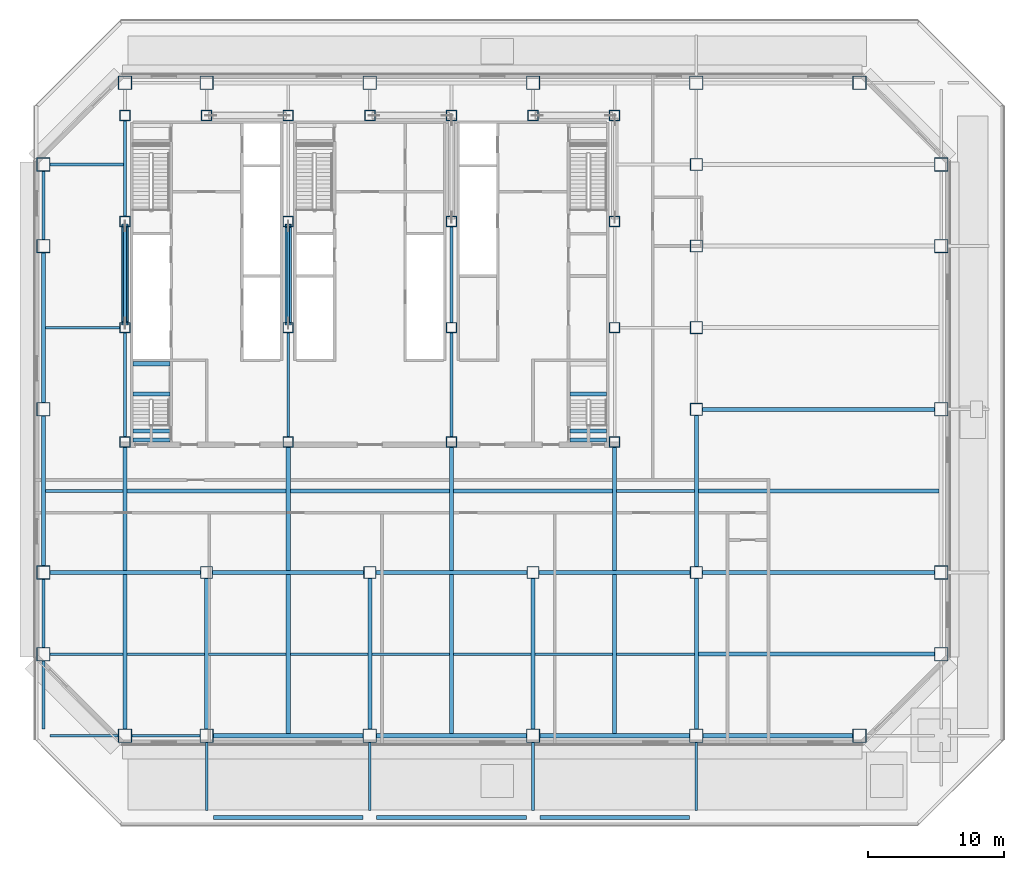
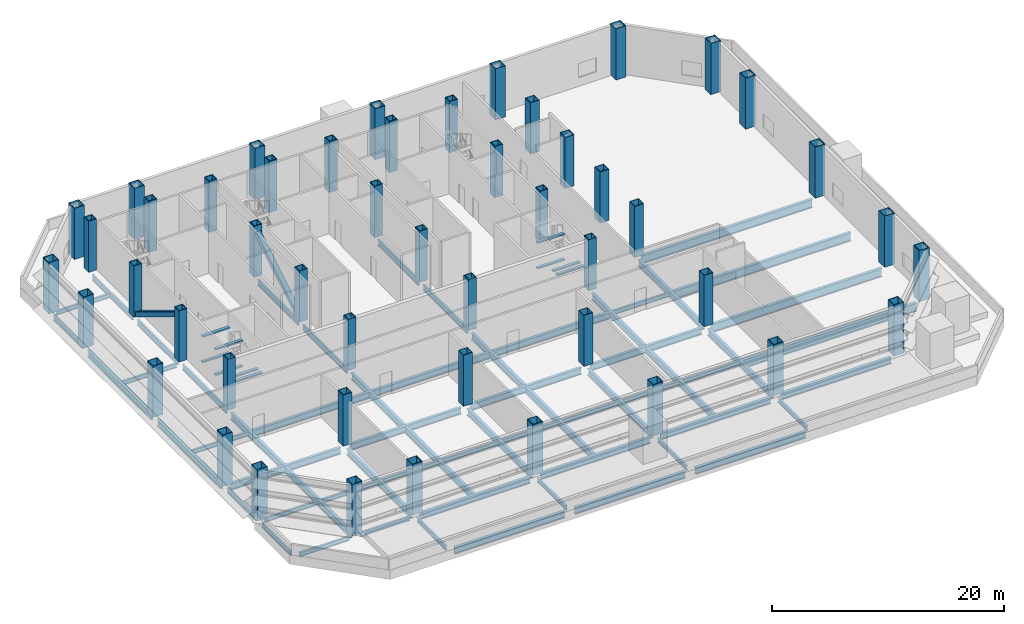
# One storey, part 1 of 11: 71 beams, 49 columns, 2 members.
"""IFC4 building model written with IfcOpenShell, lengths in metres."""

from ifc_helpers import new_model, si_unit, direction, frame, origin, origin_2d, place, context, subcontext, project, spatial, rectangle, hollow_rectangle, i_section, extrude, material, material_profile, profile_set, type_object, element, save


model = new_model("IFC4")

# Units and contexts
model_context = context("Model", 3, precision=1e-05, world=origin(), true_north=direction((0.0, 1.0)))
body_context = subcontext(model_context, "Body", "Model", "MODEL_VIEW")
ifc_project = project(units=[si_unit("LENGTHUNIT", "METRE"), si_unit("AREAUNIT", "SQUARE_METRE"), si_unit("VOLUMEUNIT", "CUBIC_METRE"), si_unit("PLANEANGLEUNIT", "RADIAN"), si_unit("MASSUNIT", "GRAM", prefix="KILO")], contexts=[model_context])

# Site, building, storey
site_placement = place(None, origin())
site = spatial("IfcSite", under=ifc_project, at=site_placement, CompositionType="ELEMENT")
building_placement = place(site_placement, origin())
building = spatial("IfcBuilding", under=site, at=building_placement, Name="Sorahane Residences", CompositionType="ELEMENT")
storey_placement = place(building_placement, frame((0.0, 0.0, 44.39990234375)))
storey = spatial("IfcBuildingStorey", under=building, at=storey_placement, Name="L07", CompositionType="ELEMENT", Elevation=44.39990234375)

# Columns
ifc_material_1 = material(Name="Steel Q420GJ", Category="steel")
ifc_material_profile_1 = material_profile(ifc_material_1, hollow_rectangle(XDim=1.0, YDim=1.0, WallThickness=0.050048828125, at=origin_2d()), Name="BOX 1000x1000x50")
ifc_profile_set_1 = profile_set([ifc_material_profile_1], Name="Steel Q420GJ")
column_type_1 = type_object("IfcColumnType", Name="Steel box column BOX 1000x1000x50 Q420GJ", PredefinedType="COLUMN", material=ifc_profile_set_1)
for number, where, z_axis, x_axis, name in (
    (1, (0.0, 6.0, 0.0), (0.0, 0.0, 1.0), (1.0, 0.0, 0.0), "Column L07 m0/6"),
    (2, (0.0, 12.0, 0.0), (0.0, 0.0, 1.0), (1.0, 0.0, 0.0), "Column L07 m0/12"),
    (3, (0.0, 24.0, 0.0), (0.0, 0.0, 1.0), (1.0, 0.0, 0.0), "Column L07 m0/24"),
    (4, (0.0, 36.0, 0.0), (0.0, 0.0, 1.0), (1.0, 0.0, 0.0), "Column L07 m0/36"),
    (5, (0.0, 42.0, 0.0), (0.0, 0.0, 1.0), (1.0, 0.0, 0.0), "Column L07 m0/42"),
    (6, (6.0, 0.0, 0.0), (0.0, 0.0, 1.0), (1.0, 0.0, 0.0), "Column L07 6/0"),
    (7, (6.0, 48.0, 0.0), (0.0, 0.0, 1.0), (1.0, 0.0, 0.0), "Column L07 6/48"),
    (8, (12.0, 0.0, 0.0), (0.0, 0.0, 1.0), (1.0, 0.0, 0.0), "Column L07 12/0"),
    (9, (12.0, 48.0, 0.0), (0.0, 0.0, 1.0), (1.0, 0.0, 0.0), "Column L07 12/48"),
    (10, (24.0, 0.0, 0.0), (0.0, 0.0, 1.0), (1.0, 0.0, 0.0), "Column L07 24/0"),
    (11, (24.0, 48.0, 0.0), (0.0, 0.0, 1.0), (1.0, 0.0, 0.0), "Column L07 24/48"),
    (12, (36.0, 0.0, 0.0), (0.0, 0.0, 1.0), (1.0, 0.0, 0.0), "Column L07 36/0"),
    (13, (36.0, 48.0, 0.0), (0.0, 0.0, 1.0), (1.0, 0.0, 0.0), "Column L07 36/48"),
    (14, (48.0, 0.0, 0.0), (0.0, 0.0, 1.0), (1.0, 0.0, 0.0), "Column L07 48/0"),
    (15, (48.0, 48.0, 0.0), (0.0, 0.0, 1.0), (1.0, 0.0, 0.0), "Column L07 48/48"),
    (16, (60.0, 0.0, 0.0), (0.0, 0.0, 1.0), (1.0, 0.0, 0.0), "Column L07 60/0"),
    (17, (60.0, 48.0, 0.0), (0.0, 0.0, 1.0), (1.0, 0.0, 0.0), "Column L07 60/48"),
    (18, (66.0, 6.0, 0.0), (0.0, 0.0, 1.0), (1.0, 0.0, 0.0), "Column L07 66/6"),
    (19, (66.0, 12.0, 0.0), (0.0, 0.0, 1.0), (1.0, 0.0, 0.0), "Column L07 66/12"),
    (20, (66.0, 24.0, 0.0), (0.0, 0.0, 1.0), (1.0, 0.0, 0.0), "Column L07 66/24"),
    (21, (66.0, 36.0, 0.0), (0.0, 0.0, 1.0), (1.0, 0.0, 0.0), "Column L07 66/36"),
    (22, (66.0, 42.0, 0.0), (0.0, 0.0, 1.0), (1.0, 0.0, 0.0), "Column L07 66/42"),
):
    element("IfcColumn", number, at=place(storey_placement, frame(where, z_axis=z_axis, x_axis=x_axis)), inside=storey, type_object=column_type_1, Name=name, PredefinedType="COLUMN", context=body_context, shape_type="SweptSolid", body=[
        extrude(hollow_rectangle(XDim=1.0, YDim=1.0, WallThickness=0.050048828125, at=origin_2d()), origin(), (0.0, 0.0, 1.0), 5.400146484375),
    ])
ifc_material_2 = material(Name="Steel Q420GJ", Category="steel")
ifc_material_profile_2 = material_profile(ifc_material_2, hollow_rectangle(XDim=0.800048828125, YDim=0.800048828125, WallThickness=0.070068359375, at=origin_2d()), Name="BOX 800x800x70")
ifc_profile_set_2 = profile_set([ifc_material_profile_2], Name="Steel Q420GJ")
column_type_2 = type_object("IfcColumnType", Name="Steel box column BOX 800x800x70 Q420GJ", PredefinedType="COLUMN", material=ifc_profile_set_2)
for number, where, z_axis, x_axis, name in (
    (23, (6.0, 21.60009765625, 0.0), (0.0, 0.0, 1.0), (1.0, 0.0, 0.0), "Column L07 6/21.6"),
    (24, (6.0, 30.0, 0.0), (0.0, 0.0, 1.0), (1.0, 0.0, 0.0), "Column L07 6/30"),
    (25, (6.0, 37.800048828125, 0.0), (0.0, 0.0, 1.0), (1.0, 0.0, 0.0), "Column L07 6/37.8"),
    (26, (6.0, 45.60009765625, 0.0), (0.0, 0.0, 1.0), (1.0, 0.0, 0.0), "Column L07 6/45.6"),
    (27, (12.0, 45.60009765625, 0.0), (0.0, 0.0, 1.0), (1.0, 0.0, 0.0), "Column L07 12/45.6"),
    (28, (18.0, 21.60009765625, 0.0), (0.0, 0.0, 1.0), (1.0, 0.0, 0.0), "Column L07 18/21.6"),
    (29, (18.0, 30.0, 0.0), (0.0, 0.0, 1.0), (1.0, 0.0, 0.0), "Column L07 18/30"),
    (30, (18.0, 37.800048828125, 0.0), (0.0, 0.0, 1.0), (1.0, 0.0, 0.0), "Column L07 18/37.8"),
    (31, (18.0, 45.60009765625, 0.0), (0.0, 0.0, 1.0), (1.0, 0.0, 0.0), "Column L07 18/45.6"),
    (32, (24.0, 45.60009765625, 0.0), (0.0, 0.0, 1.0), (1.0, 0.0, 0.0), "Column L07 24/45.6"),
    (33, (30.0, 21.60009765625, 0.0), (0.0, 0.0, 1.0), (1.0, 0.0, 0.0), "Column L07 30/21.6"),
    (34, (30.0, 30.0, 0.0), (0.0, 0.0, 1.0), (1.0, 0.0, 0.0), "Column L07 30/30"),
    (35, (30.0, 37.800048828125, 0.0), (0.0, 0.0, 1.0), (1.0, 0.0, 0.0), "Column L07 30/37.8"),
    (36, (30.0, 45.60009765625, 0.0), (0.0, 0.0, 1.0), (1.0, 0.0, 0.0), "Column L07 30/45.6"),
    (37, (36.0, 45.60009765625, 0.0), (0.0, 0.0, 1.0), (1.0, 0.0, 0.0), "Column L07 36/45.6"),
    (38, (42.0, 21.60009765625, 0.0), (0.0, 0.0, 1.0), (1.0, 0.0, 0.0), "Column L07 42/21.6"),
    (39, (42.0, 30.0, 0.0), (0.0, 0.0, 1.0), (1.0, 0.0, 0.0), "Column L07 42/30"),
    (40, (42.0, 37.800048828125, 0.0), (0.0, 0.0, 1.0), (1.0, 0.0, 0.0), "Column L07 42/37.8"),
    (41, (42.0, 45.60009765625, 0.0), (0.0, 0.0, 1.0), (1.0, 0.0, 0.0), "Column L07 42/45.6"),
):
    element("IfcColumn", number, at=place(storey_placement, frame(where, z_axis=z_axis, x_axis=x_axis)), inside=storey, type_object=column_type_2, Name=name, PredefinedType="COLUMN", context=body_context, shape_type="SweptSolid", body=[
        extrude(hollow_rectangle(XDim=0.800048828125, YDim=0.800048828125, WallThickness=0.070068359375, at=origin_2d()), origin(), (0.0, 0.0, 1.0), 5.400146484375),
    ])
ifc_material_3 = material(Name="Steel Q420GJ", Category="steel")
ifc_material_profile_3 = material_profile(ifc_material_3, hollow_rectangle(XDim=0.89990234375, YDim=0.89990234375, WallThickness=0.044921875, at=origin_2d()), Name="BOX 900x900x45")
ifc_profile_set_3 = profile_set([ifc_material_profile_3], Name="Steel Q420GJ")
column_type_3 = type_object("IfcColumnType", Name="Steel box column BOX 900x900x45 Q420GJ", PredefinedType="COLUMN", material=ifc_profile_set_3)
for number, where, z_axis, x_axis, name in (
    (42, (12.0, 12.0, 0.0), (0.0, 0.0, 1.0), (1.0, 0.0, 0.0), "Column L07 12/12"),
    (43, (24.0, 12.0, 0.0), (0.0, 0.0, 1.0), (1.0, 0.0, 0.0), "Column L07 24/12"),
    (44, (36.0, 12.0, 0.0), (0.0, 0.0, 1.0), (1.0, 0.0, 0.0), "Column L07 36/12"),
    (45, (48.0, 12.0, 0.0), (0.0, 0.0, 1.0), (1.0, 0.0, 0.0), "Column L07 48/12"),
    (46, (48.0, 24.0, 0.0), (0.0, 0.0, 1.0), (1.0, 0.0, 0.0), "Column L07 48/24"),
    (47, (48.0, 30.0, 0.0), (0.0, 0.0, 1.0), (1.0, 0.0, 0.0), "Column L07 48/30"),
    (48, (48.0, 36.0, 0.0), (0.0, 0.0, 1.0), (1.0, 0.0, 0.0), "Column L07 48/36"),
    (49, (48.0, 42.0, 0.0), (0.0, 0.0, 1.0), (1.0, 0.0, 0.0), "Column L07 48/42"),
):
    element("IfcColumn", number, at=place(storey_placement, frame(where, z_axis=z_axis, x_axis=x_axis)), inside=storey, type_object=column_type_3, Name=name, PredefinedType="COLUMN", context=body_context, shape_type="SweptSolid", body=[
        extrude(hollow_rectangle(XDim=0.89990234375, YDim=0.89990234375, WallThickness=0.044921875, at=origin_2d()), origin(), (0.0, 0.0, 1.0), 5.400146484375),
    ])

# Members
ifc_material_4 = material(Name="Steel Q355B", Category="steel")
ifc_material_profile_4 = material_profile(ifc_material_4, hollow_rectangle(XDim=0.5, YDim=0.5, WallThickness=0.02490234375, InnerFilletRadius=0.012451171875, OuterFilletRadius=0.03759765625, at=origin_2d()), Name="RHS 500x500x25")
ifc_profile_set_4 = profile_set([ifc_material_profile_4], Name="Steel Q355B")
member_type = type_object("IfcMemberType", Name="Core brace RHS 500x500x25 Q355B", PredefinedType="BRACE", material=ifc_profile_set_4)
for number, where, z_axis, x_axis, name in (
    (50, (6.0, 37.47802734375, 0.202392578125), (0.0, -0.853707753255, 0.520752409532), (1.0, 0.0, 0.0), "Core brace L07 x6-2"),
    (51, (18.0, 30.32177734375, 0.202392578125), (0.0, 0.853707753255, 0.520752409532), (-1.0, 0.0, 0.0), "Core brace L07 x18-1"),
):
    element("IfcMember", number, at=place(storey_placement, frame(where, z_axis=z_axis, x_axis=x_axis)), inside=storey, type_object=member_type, Name=name, PredefinedType="BRACE", context=body_context, shape_type="SweptSolid", body=[
        extrude(hollow_rectangle(XDim=0.5, YDim=0.5, WallThickness=0.02490234375, InnerFilletRadius=0.012451171875, OuterFilletRadius=0.03759765625, at=origin_2d()), origin(), (0.0, 0.0, 1.0), 8.382568359375),
    ])

# Beams
ifc_material_5 = material(Name="Concrete C40", Category="concrete")
ifc_material_profile_5 = material_profile(ifc_material_5, rectangle(XDim=0.300048828125, YDim=0.139892578125, at=origin_2d()), Name="300x140")
ifc_profile_set_5 = profile_set([ifc_material_profile_5], Name="Concrete C40")
beam_type_1 = type_object("IfcBeamType", Name="RC landing beam 300 x 140 Concrete C40", PredefinedType="BEAM", material=ifc_profile_set_5)
for number, where, z_axis, x_axis, name in (
    (52, (6.60009765625, 25.1201171875, 1.080078125), (1.0, 0.0, 0.0), (0.0, 1.0, 0.0), "Landing beam"),
    (53, (6.60009765625, 27.35009765625, 1.080078125), (1.0, 0.0, 0.0), (0.0, 1.0, 0.0), "Landing beam"),
    (54, (6.60009765625, 21.75, 2.43017578125), (1.0, 0.0, 0.0), (0.0, 1.0, 0.0), "Landing beam"),
    (55, (6.60009765625, 22.39990234375, 2.43017578125), (1.0, 0.0, 0.0), (0.0, 1.0, 0.0), "Landing beam"),
    (56, (6.60009765625, 25.1201171875, 3.780029296875), (1.0, 0.0, 0.0), (0.0, 1.0, 0.0), "Landing beam"),
    (57, (6.60009765625, 27.35009765625, 3.780029296875), (1.0, 0.0, 0.0), (0.0, 1.0, 0.0), "Landing beam"),
    (58, (38.699951171875, 25.1201171875, 1.080078125), (1.0, 0.0, 0.0), (0.0, 1.0, 0.0), "Landing beam"),
    (59, (38.699951171875, 21.75, 2.43017578125), (1.0, 0.0, 0.0), (0.0, 1.0, 0.0), "Landing beam"),
    (60, (38.699951171875, 22.39990234375, 2.43017578125), (1.0, 0.0, 0.0), (0.0, 1.0, 0.0), "Landing beam"),
    (61, (38.699951171875, 25.1201171875, 3.780029296875), (1.0, 0.0, 0.0), (0.0, 1.0, 0.0), "Landing beam"),
):
    element("IfcBeam", number, at=place(storey_placement, frame(where, z_axis=z_axis, x_axis=x_axis)), inside=storey, type_object=beam_type_1, Name=name, PredefinedType="BEAM", context=body_context, shape_type="SweptSolid", body=[
        extrude(rectangle(XDim=0.300048828125, YDim=0.139892578125, at=origin_2d()), origin(), (0.0, 0.0, 1.0), 2.699951171875),
    ])
ifc_material_6 = material(Name="Steel Q355B", Category="steel")
ifc_material_profile_6 = material_profile(ifc_material_6, i_section(OverallWidth=0.199951171875, OverallDepth=0.449951171875, WebThickness=0.009033203125, FlangeThickness=0.013916015625, FilletRadius=0.02001953125, at=origin_2d()), Name="HN 450x200x9x14")
ifc_profile_set_6 = profile_set([ifc_material_profile_6], Name="Steel Q355B")
beam_type_2 = type_object("IfcBeamType", Name="Steel floor beam HN 450x200x9x14 Q355B", PredefinedType="BEAM", material=ifc_profile_set_6)
for number, where, z_axis, x_axis, name in (
    (62, (0.5, 0.0, -0.52490234375), (1.0, 0.0, 0.0), (0.0, 1.0, 0.0), "Beam L07 000"),
    (63, (6.5, 0.0, -0.52490234375), (1.0, 0.0, 0.0), (0.0, 1.0, 0.0), "Beam L07 001"),
    (64, (0.0, 0.5, -0.52490234375), (0.0, 1.0, 0.0), (-1.0, 0.0, 0.0), "Beam L07 025"),
    (65, (0.0, 6.5, -0.52490234375), (0.0, 1.0, 0.0), (-1.0, 0.0, 0.0), "Beam L07 026"),
    (66, (0.0, 36.5, -0.52490234375), (0.0, 1.0, 0.0), (-1.0, 0.0, 0.0), "Beam L07 029"),
    (67, (12.0, -5.5, -0.52490234375), (0.0, 1.0, 0.0), (-1.0, 0.0, 0.0), "Beam L07 036"),
    (68, (24.0, -5.5, -0.52490234375), (0.0, 1.0, 0.0), (-1.0, 0.0, 0.0), "Beam L07 045"),
    (69, (36.0, -5.5, -0.52490234375), (0.0, 1.0, 0.0), (-1.0, 0.0, 0.0), "Beam L07 054"),
    (70, (48.0, -5.5, -0.52490234375), (0.0, 1.0, 0.0), (-1.0, 0.0, 0.0), "Beam L07 063"),
):
    element("IfcBeam", number, at=place(storey_placement, frame(where, z_axis=z_axis, x_axis=x_axis)), inside=storey, type_object=beam_type_2, Name=name, PredefinedType="BEAM", context=body_context, shape_type="SweptSolid", body=[
        extrude(i_section(OverallWidth=0.199951171875, OverallDepth=0.449951171875, WebThickness=0.009033203125, FlangeThickness=0.013916015625, FilletRadius=0.02001953125, at=origin_2d()), origin(), (0.0, 0.0, 1.0), 5.0),
    ])
beam_1_placement = place(storey_placement, frame((0.5, 6.0, -0.52490234375), z_axis=(1.0, 0.0, 0.0), x_axis=(0.0, 1.0, 0.0)))
element("IfcBeam", 71, at=beam_1_placement, inside=storey, type_object=beam_type_2, Name="Beam L07 080", PredefinedType="BEAM", context=body_context, shape_type="SweptSolid", body=[
    extrude(i_section(OverallWidth=0.199951171875, OverallDepth=0.449951171875, WebThickness=0.009033203125, FlangeThickness=0.013916015625, FilletRadius=0.02001953125, at=origin_2d()), origin(), (0.0, 0.0, 1.0), 5.35009765625),
])
for number, where, z_axis, x_axis, name in (
    (72, (6.14990234375, 6.0, -0.52490234375), (1.0, 0.0, 0.0), (0.0, 1.0, 0.0), "Beam L07 081"),
    (73, (12.14990234375, 6.0, -0.52490234375), (1.0, 0.0, 0.0), (0.0, 1.0, 0.0), "Beam L07 082"),
    (74, (18.14990234375, 6.0, -0.52490234375), (1.0, 0.0, 0.0), (0.0, 1.0, 0.0), "Beam L07 083"),
    (75, (24.14990234375, 6.0, -0.52490234375), (1.0, 0.0, 0.0), (0.0, 1.0, 0.0), "Beam L07 084"),
    (76, (30.14990234375, 6.0, -0.52490234375), (1.0, 0.0, 0.0), (0.0, 1.0, 0.0), "Beam L07 085"),
    (77, (36.14990234375, 6.0, -0.52490234375), (1.0, 0.0, 0.0), (0.0, 1.0, 0.0), "Beam L07 086"),
    (78, (42.14990234375, 6.0, -0.52490234375), (1.0, 0.0, 0.0), (0.0, 1.0, 0.0), "Beam L07 087"),
    (79, (0.14990234375, 18.0, -0.52490234375), (1.0, 0.0, 0.0), (0.0, 1.0, 0.0), "Beam L07 089"),
    (80, (42.14990234375, 18.0, -0.52490234375), (1.0, 0.0, 0.0), (0.0, 1.0, 0.0), "Beam L07 093"),
):
    element("IfcBeam", number, at=place(storey_placement, frame(where, z_axis=z_axis, x_axis=x_axis)), inside=storey, type_object=beam_type_2, Name=name, PredefinedType="BEAM", context=body_context, shape_type="SweptSolid", body=[
        extrude(i_section(OverallWidth=0.199951171875, OverallDepth=0.449951171875, WebThickness=0.009033203125, FlangeThickness=0.013916015625, FilletRadius=0.02001953125, at=origin_2d()), origin(), (0.0, 0.0, 1.0), 5.7001953125),
    ])
beam_2_placement = place(storey_placement, frame((0.14990234375, 30.0, -0.52490234375), z_axis=(1.0, 0.0, 0.0), x_axis=(0.0, 1.0, 0.0)))
element("IfcBeam", 81, at=beam_2_placement, inside=storey, type_object=beam_type_2, Name="Beam L07 095", PredefinedType="BEAM", context=body_context, shape_type="SweptSolid", body=[
    extrude(i_section(OverallWidth=0.199951171875, OverallDepth=0.449951171875, WebThickness=0.009033203125, FlangeThickness=0.013916015625, FilletRadius=0.02001953125, at=origin_2d()), origin(), (0.0, 0.0, 1.0), 5.4501953125),
])
beam_3_placement = place(storey_placement, frame((0.5, 42.0, -0.52490234375), z_axis=(1.0, 0.0, 0.0), x_axis=(0.0, 1.0, 0.0)))
element("IfcBeam", 82, at=beam_3_placement, inside=storey, type_object=beam_type_2, Name="Beam L07 098", PredefinedType="BEAM", context=body_context, shape_type="SweptSolid", body=[
    extrude(i_section(OverallWidth=0.199951171875, OverallDepth=0.449951171875, WebThickness=0.009033203125, FlangeThickness=0.013916015625, FilletRadius=0.02001953125, at=origin_2d()), origin(), (0.0, 0.0, 1.0), 5.39990234375),
])
ifc_material_7 = material(Name="Steel Q355B", Category="steel")
ifc_material_profile_7 = material_profile(ifc_material_7, i_section(OverallWidth=0.199951171875, OverallDepth=0.60009765625, WebThickness=0.010986328125, FlangeThickness=0.01708984375, FilletRadius=0.02392578125, at=origin_2d()), Name="HN 600x200x11x17")
ifc_profile_set_7 = profile_set([ifc_material_profile_7], Name="Steel Q355B")
beam_type_3 = type_object("IfcBeamType", Name="Steel floor beam HN 600x200x11x17 Q355B", PredefinedType="BEAM", material=ifc_profile_set_7)
beam_4_placement = place(storey_placement, frame((6.0, 22.0, -0.599853515625), z_axis=(0.0, 1.0, 0.0), x_axis=(-1.0, 0.0, 0.0)))
element("IfcBeam", 83, at=beam_4_placement, inside=storey, type_object=beam_type_3, Name="Beam L07 032", PredefinedType="BEAM", context=body_context, shape_type="SweptSolid", body=[
    extrude(i_section(OverallWidth=0.199951171875, OverallDepth=0.60009765625, WebThickness=0.010986328125, FlangeThickness=0.01708984375, FilletRadius=0.02392578125, at=origin_2d()), origin(), (0.0, 0.0, 1.0), 7.60009765625),
])
for number, where, z_axis, x_axis, name in (
    (84, (6.0, 30.39990234375, -0.599853515625), (0.0, 1.0, 0.0), (-1.0, 0.0, 0.0), "Beam L07 033"),
    (85, (6.0, 38.199951171875, -0.599853515625), (0.0, 1.0, 0.0), (-1.0, 0.0, 0.0), "Beam L07 034"),
):
    element("IfcBeam", number, at=place(storey_placement, frame(where, z_axis=z_axis, x_axis=x_axis)), inside=storey, type_object=beam_type_3, Name=name, PredefinedType="BEAM", context=body_context, shape_type="SweptSolid", body=[
        extrude(i_section(OverallWidth=0.199951171875, OverallDepth=0.60009765625, WebThickness=0.010986328125, FlangeThickness=0.01708984375, FilletRadius=0.02392578125, at=origin_2d()), origin(), (0.0, 0.0, 1.0), 7.0),
    ])
beam_5_placement = place(storey_placement, frame((18.0, 22.0, -0.599853515625), z_axis=(0.0, 1.0, 0.0), x_axis=(-1.0, 0.0, 0.0)))
element("IfcBeam", 86, at=beam_5_placement, inside=storey, type_object=beam_type_3, Name="Beam L07 041", PredefinedType="BEAM", context=body_context, shape_type="SweptSolid", body=[
    extrude(i_section(OverallWidth=0.199951171875, OverallDepth=0.60009765625, WebThickness=0.010986328125, FlangeThickness=0.01708984375, FilletRadius=0.02392578125, at=origin_2d()), origin(), (0.0, 0.0, 1.0), 7.60009765625),
])
beam_6_placement = place(storey_placement, frame((18.0, 30.39990234375, -0.599853515625), z_axis=(0.0, 1.0, 0.0), x_axis=(-1.0, 0.0, 0.0)))
element("IfcBeam", 87, at=beam_6_placement, inside=storey, type_object=beam_type_3, Name="Beam L07 042", PredefinedType="BEAM", context=body_context, shape_type="SweptSolid", body=[
    extrude(i_section(OverallWidth=0.199951171875, OverallDepth=0.60009765625, WebThickness=0.010986328125, FlangeThickness=0.01708984375, FilletRadius=0.02392578125, at=origin_2d()), origin(), (0.0, 0.0, 1.0), 7.0),
])
beam_7_placement = place(storey_placement, frame((30.0, 22.0, -0.599853515625), z_axis=(0.0, 1.0, 0.0), x_axis=(-1.0, 0.0, 0.0)))
element("IfcBeam", 88, at=beam_7_placement, inside=storey, type_object=beam_type_3, Name="Beam L07 050", PredefinedType="BEAM", context=body_context, shape_type="SweptSolid", body=[
    extrude(i_section(OverallWidth=0.199951171875, OverallDepth=0.60009765625, WebThickness=0.010986328125, FlangeThickness=0.01708984375, FilletRadius=0.02392578125, at=origin_2d()), origin(), (0.0, 0.0, 1.0), 7.60009765625),
])
beam_8_placement = place(storey_placement, frame((30.0, 30.39990234375, -0.599853515625), z_axis=(0.0, 1.0, 0.0), x_axis=(-1.0, 0.0, 0.0)))
element("IfcBeam", 89, at=beam_8_placement, inside=storey, type_object=beam_type_3, Name="Beam L07 051", PredefinedType="BEAM", context=body_context, shape_type="SweptSolid", body=[
    extrude(i_section(OverallWidth=0.199951171875, OverallDepth=0.60009765625, WebThickness=0.010986328125, FlangeThickness=0.01708984375, FilletRadius=0.02392578125, at=origin_2d()), origin(), (0.0, 0.0, 1.0), 7.0),
])
ifc_material_8 = material(Name="Steel Q355B", Category="steel")
ifc_material_profile_8 = material_profile(ifc_material_8, i_section(OverallWidth=0.300048828125, OverallDepth=0.699951171875, WebThickness=0.012939453125, FlangeThickness=0.02392578125, FilletRadius=0.028076171875, at=origin_2d()), Name="HN 700x300x13x24")
ifc_profile_set_8 = profile_set([ifc_material_profile_8], Name="Steel Q355B")
beam_type_4 = type_object("IfcBeamType", Name="Steel floor beam HN 700x300x13x24 Q355B", PredefinedType="BEAM", material=ifc_profile_set_8)
for number, where, z_axis, x_axis, name in (
    (90, (12.5, 0.0, -0.64990234375), (1.0, 0.0, 0.0), (0.0, 1.0, 0.0), "Beam L07 002"),
    (91, (24.5, 0.0, -0.64990234375), (1.0, 0.0, 0.0), (0.0, 1.0, 0.0), "Beam L07 003"),
    (92, (36.5, 0.0, -0.64990234375), (1.0, 0.0, 0.0), (0.0, 1.0, 0.0), "Beam L07 004"),
    (93, (48.5, 0.0, -0.64990234375), (1.0, 0.0, 0.0), (0.0, 1.0, 0.0), "Beam L07 005"),
):
    element("IfcBeam", number, at=place(storey_placement, frame(where, z_axis=z_axis, x_axis=x_axis)), inside=storey, type_object=beam_type_4, Name=name, PredefinedType="BEAM", context=body_context, shape_type="SweptSolid", body=[
        extrude(i_section(OverallWidth=0.300048828125, OverallDepth=0.699951171875, WebThickness=0.012939453125, FlangeThickness=0.02392578125, FilletRadius=0.028076171875, at=origin_2d()), origin(), (0.0, 0.0, 1.0), 11.0),
    ])
beam_9_placement = place(storey_placement, frame((0.5, 12.0, -0.64990234375), z_axis=(1.0, 0.0, 0.0), x_axis=(0.0, 1.0, 0.0)))
element("IfcBeam", 94, at=beam_9_placement, inside=storey, type_object=beam_type_4, Name="Beam L07 008", PredefinedType="BEAM", context=body_context, shape_type="SweptSolid", body=[
    extrude(i_section(OverallWidth=0.300048828125, OverallDepth=0.699951171875, WebThickness=0.012939453125, FlangeThickness=0.02392578125, FilletRadius=0.028076171875, at=origin_2d()), origin(), (0.0, 0.0, 1.0), 11.050048828125),
])
for number, where, z_axis, x_axis, name in (
    (95, (12.449951171875, 12.0, -0.64990234375), (1.0, 0.0, 0.0), (0.0, 1.0, 0.0), "Beam L07 009"),
    (96, (24.449951171875, 12.0, -0.64990234375), (1.0, 0.0, 0.0), (0.0, 1.0, 0.0), "Beam L07 010"),
    (97, (36.449951171875, 12.0, -0.64990234375), (1.0, 0.0, 0.0), (0.0, 1.0, 0.0), "Beam L07 011"),
):
    element("IfcBeam", number, at=place(storey_placement, frame(where, z_axis=z_axis, x_axis=x_axis)), inside=storey, type_object=beam_type_4, Name=name, PredefinedType="BEAM", context=body_context, shape_type="SweptSolid", body=[
        extrude(i_section(OverallWidth=0.300048828125, OverallDepth=0.699951171875, WebThickness=0.012939453125, FlangeThickness=0.02392578125, FilletRadius=0.028076171875, at=origin_2d()), origin(), (0.0, 0.0, 1.0), 11.10009765625),
    ])
for number, where, z_axis, x_axis, name in (
    (98, (0.0, 12.5, -0.64990234375), (0.0, 1.0, 0.0), (-1.0, 0.0, 0.0), "Beam L07 027"),
    (99, (0.0, 24.5, -0.64990234375), (0.0, 1.0, 0.0), (-1.0, 0.0, 0.0), "Beam L07 028"),
):
    element("IfcBeam", number, at=place(storey_placement, frame(where, z_axis=z_axis, x_axis=x_axis)), inside=storey, type_object=beam_type_4, Name=name, PredefinedType="BEAM", context=body_context, shape_type="SweptSolid", body=[
        extrude(i_section(OverallWidth=0.300048828125, OverallDepth=0.699951171875, WebThickness=0.012939453125, FlangeThickness=0.02392578125, FilletRadius=0.028076171875, at=origin_2d()), origin(), (0.0, 0.0, 1.0), 11.0),
    ])
beam_10_placement = place(storey_placement, frame((6.0, 0.5, -0.64990234375), z_axis=(0.0, 1.0, 0.0), x_axis=(-1.0, 0.0, 0.0)))
element("IfcBeam", 100, at=beam_10_placement, inside=storey, type_object=beam_type_4, Name="Beam L07 030", PredefinedType="BEAM", context=body_context, shape_type="SweptSolid", body=[
    extrude(i_section(OverallWidth=0.300048828125, OverallDepth=0.699951171875, WebThickness=0.012939453125, FlangeThickness=0.02392578125, FilletRadius=0.028076171875, at=origin_2d()), origin(), (0.0, 0.0, 1.0), 11.35009765625),
])
beam_11_placement = place(storey_placement, frame((6.0, 12.14990234375, -0.64990234375), z_axis=(0.0, 1.0, 0.0), x_axis=(-1.0, 0.0, 0.0)))
element("IfcBeam", 101, at=beam_11_placement, inside=storey, type_object=beam_type_4, Name="Beam L07 031", PredefinedType="BEAM", context=body_context, shape_type="SweptSolid", body=[
    extrude(i_section(OverallWidth=0.300048828125, OverallDepth=0.699951171875, WebThickness=0.012939453125, FlangeThickness=0.02392578125, FilletRadius=0.028076171875, at=origin_2d()), origin(), (0.0, 0.0, 1.0), 9.050048828125),
])
beam_12_placement = place(storey_placement, frame((12.0, 0.5, -0.64990234375), z_axis=(0.0, 1.0, 0.0), x_axis=(-1.0, 0.0, 0.0)))
element("IfcBeam", 102, at=beam_12_placement, inside=storey, type_object=beam_type_4, Name="Beam L07 037", PredefinedType="BEAM", context=body_context, shape_type="SweptSolid", body=[
    extrude(i_section(OverallWidth=0.300048828125, OverallDepth=0.699951171875, WebThickness=0.012939453125, FlangeThickness=0.02392578125, FilletRadius=0.028076171875, at=origin_2d()), origin(), (0.0, 0.0, 1.0), 11.050048828125),
])
beam_13_placement = place(storey_placement, frame((18.0, 0.14990234375, -0.64990234375), z_axis=(0.0, 1.0, 0.0), x_axis=(-1.0, 0.0, 0.0)))
element("IfcBeam", 103, at=beam_13_placement, inside=storey, type_object=beam_type_4, Name="Beam L07 039", PredefinedType="BEAM", context=body_context, shape_type="SweptSolid", body=[
    extrude(i_section(OverallWidth=0.300048828125, OverallDepth=0.699951171875, WebThickness=0.012939453125, FlangeThickness=0.02392578125, FilletRadius=0.028076171875, at=origin_2d()), origin(), (0.0, 0.0, 1.0), 11.7001953125),
])
beam_14_placement = place(storey_placement, frame((18.0, 12.14990234375, -0.64990234375), z_axis=(0.0, 1.0, 0.0), x_axis=(-1.0, 0.0, 0.0)))
element("IfcBeam", 104, at=beam_14_placement, inside=storey, type_object=beam_type_4, Name="Beam L07 040", PredefinedType="BEAM", context=body_context, shape_type="SweptSolid", body=[
    extrude(i_section(OverallWidth=0.300048828125, OverallDepth=0.699951171875, WebThickness=0.012939453125, FlangeThickness=0.02392578125, FilletRadius=0.028076171875, at=origin_2d()), origin(), (0.0, 0.0, 1.0), 9.050048828125),
])
beam_15_placement = place(storey_placement, frame((24.0, 0.5, -0.64990234375), z_axis=(0.0, 1.0, 0.0), x_axis=(-1.0, 0.0, 0.0)))
element("IfcBeam", 105, at=beam_15_placement, inside=storey, type_object=beam_type_4, Name="Beam L07 046", PredefinedType="BEAM", context=body_context, shape_type="SweptSolid", body=[
    extrude(i_section(OverallWidth=0.300048828125, OverallDepth=0.699951171875, WebThickness=0.012939453125, FlangeThickness=0.02392578125, FilletRadius=0.028076171875, at=origin_2d()), origin(), (0.0, 0.0, 1.0), 11.050048828125),
])
beam_16_placement = place(storey_placement, frame((30.0, 0.14990234375, -0.64990234375), z_axis=(0.0, 1.0, 0.0), x_axis=(-1.0, 0.0, 0.0)))
element("IfcBeam", 106, at=beam_16_placement, inside=storey, type_object=beam_type_4, Name="Beam L07 048", PredefinedType="BEAM", context=body_context, shape_type="SweptSolid", body=[
    extrude(i_section(OverallWidth=0.300048828125, OverallDepth=0.699951171875, WebThickness=0.012939453125, FlangeThickness=0.02392578125, FilletRadius=0.028076171875, at=origin_2d()), origin(), (0.0, 0.0, 1.0), 11.7001953125),
])
beam_17_placement = place(storey_placement, frame((30.0, 12.14990234375, -0.64990234375), z_axis=(0.0, 1.0, 0.0), x_axis=(-1.0, 0.0, 0.0)))
element("IfcBeam", 107, at=beam_17_placement, inside=storey, type_object=beam_type_4, Name="Beam L07 049", PredefinedType="BEAM", context=body_context, shape_type="SweptSolid", body=[
    extrude(i_section(OverallWidth=0.300048828125, OverallDepth=0.699951171875, WebThickness=0.012939453125, FlangeThickness=0.02392578125, FilletRadius=0.028076171875, at=origin_2d()), origin(), (0.0, 0.0, 1.0), 9.050048828125),
])
beam_18_placement = place(storey_placement, frame((36.0, 0.5, -0.64990234375), z_axis=(0.0, 1.0, 0.0), x_axis=(-1.0, 0.0, 0.0)))
element("IfcBeam", 108, at=beam_18_placement, inside=storey, type_object=beam_type_4, Name="Beam L07 055", PredefinedType="BEAM", context=body_context, shape_type="SweptSolid", body=[
    extrude(i_section(OverallWidth=0.300048828125, OverallDepth=0.699951171875, WebThickness=0.012939453125, FlangeThickness=0.02392578125, FilletRadius=0.028076171875, at=origin_2d()), origin(), (0.0, 0.0, 1.0), 11.050048828125),
])
beam_19_placement = place(storey_placement, frame((42.0, 0.14990234375, -0.64990234375), z_axis=(0.0, 1.0, 0.0), x_axis=(-1.0, 0.0, 0.0)))
element("IfcBeam", 109, at=beam_19_placement, inside=storey, type_object=beam_type_4, Name="Beam L07 057", PredefinedType="BEAM", context=body_context, shape_type="SweptSolid", body=[
    extrude(i_section(OverallWidth=0.300048828125, OverallDepth=0.699951171875, WebThickness=0.012939453125, FlangeThickness=0.02392578125, FilletRadius=0.028076171875, at=origin_2d()), origin(), (0.0, 0.0, 1.0), 11.7001953125),
])
beam_20_placement = place(storey_placement, frame((42.0, 12.14990234375, -0.64990234375), z_axis=(0.0, 1.0, 0.0), x_axis=(-1.0, 0.0, 0.0)))
element("IfcBeam", 110, at=beam_20_placement, inside=storey, type_object=beam_type_4, Name="Beam L07 058", PredefinedType="BEAM", context=body_context, shape_type="SweptSolid", body=[
    extrude(i_section(OverallWidth=0.300048828125, OverallDepth=0.699951171875, WebThickness=0.012939453125, FlangeThickness=0.02392578125, FilletRadius=0.028076171875, at=origin_2d()), origin(), (0.0, 0.0, 1.0), 9.050048828125),
])
beam_21_placement = place(storey_placement, frame((48.0, 0.5, -0.64990234375), z_axis=(0.0, 1.0, 0.0), x_axis=(-1.0, 0.0, 0.0)))
element("IfcBeam", 111, at=beam_21_placement, inside=storey, type_object=beam_type_4, Name="Beam L07 064", PredefinedType="BEAM", context=body_context, shape_type="SweptSolid", body=[
    extrude(i_section(OverallWidth=0.300048828125, OverallDepth=0.699951171875, WebThickness=0.012939453125, FlangeThickness=0.02392578125, FilletRadius=0.028076171875, at=origin_2d()), origin(), (0.0, 0.0, 1.0), 11.050048828125),
])
beam_22_placement = place(storey_placement, frame((48.0, 12.449951171875, -0.64990234375), z_axis=(0.0, 1.0, 0.0), x_axis=(-1.0, 0.0, 0.0)))
element("IfcBeam", 112, at=beam_22_placement, inside=storey, type_object=beam_type_4, Name="Beam L07 065", PredefinedType="BEAM", context=body_context, shape_type="SweptSolid", body=[
    extrude(i_section(OverallWidth=0.300048828125, OverallDepth=0.699951171875, WebThickness=0.012939453125, FlangeThickness=0.02392578125, FilletRadius=0.028076171875, at=origin_2d()), origin(), (0.0, 0.0, 1.0), 11.10009765625),
])
for number, where, z_axis, x_axis, name in (
    (113, (12.5, -6.0, -0.64990234375), (1.0, 0.0, 0.0), (0.0, 1.0, 0.0), "Beam L07 077"),
    (114, (24.5, -6.0, -0.64990234375), (1.0, 0.0, 0.0), (0.0, 1.0, 0.0), "Beam L07 078"),
    (115, (36.5, -6.0, -0.64990234375), (1.0, 0.0, 0.0), (0.0, 1.0, 0.0), "Beam L07 079"),
):
    element("IfcBeam", number, at=place(storey_placement, frame(where, z_axis=z_axis, x_axis=x_axis)), inside=storey, type_object=beam_type_4, Name=name, PredefinedType="BEAM", context=body_context, shape_type="SweptSolid", body=[
        extrude(i_section(OverallWidth=0.300048828125, OverallDepth=0.699951171875, WebThickness=0.012939453125, FlangeThickness=0.02392578125, FilletRadius=0.028076171875, at=origin_2d()), origin(), (0.0, 0.0, 1.0), 11.0),
    ])
for number, where, z_axis, x_axis, name in (
    (116, (6.14990234375, 18.0, -0.64990234375), (1.0, 0.0, 0.0), (0.0, 1.0, 0.0), "Beam L07 090"),
    (117, (18.14990234375, 18.0, -0.64990234375), (1.0, 0.0, 0.0), (0.0, 1.0, 0.0), "Beam L07 091"),
    (118, (30.14990234375, 18.0, -0.64990234375), (1.0, 0.0, 0.0), (0.0, 1.0, 0.0), "Beam L07 092"),
):
    element("IfcBeam", number, at=place(storey_placement, frame(where, z_axis=z_axis, x_axis=x_axis)), inside=storey, type_object=beam_type_4, Name=name, PredefinedType="BEAM", context=body_context, shape_type="SweptSolid", body=[
        extrude(i_section(OverallWidth=0.300048828125, OverallDepth=0.699951171875, WebThickness=0.012939453125, FlangeThickness=0.02392578125, FilletRadius=0.028076171875, at=origin_2d()), origin(), (0.0, 0.0, 1.0), 11.7001953125),
    ])
ifc_material_9 = material(Name="Steel Q355B", Category="steel")
ifc_material_profile_9 = material_profile(ifc_material_9, i_section(OverallWidth=0.300048828125, OverallDepth=0.89990234375, WebThickness=0.01611328125, FlangeThickness=0.028076171875, FilletRadius=0.028076171875, at=origin_2d()), Name="HN 900x300x16x28")
ifc_profile_set_9 = profile_set([ifc_material_profile_9], Name="Steel Q355B")
beam_type_5 = type_object("IfcBeamType", Name="Steel floor beam HN 900x300x16x28 Q355B", PredefinedType="BEAM", material=ifc_profile_set_9)
for number, where, z_axis, x_axis, name in (
    (119, (48.449951171875, 12.0, -0.75), (1.0, 0.0, 0.0), (0.0, 1.0, 0.0), "Beam L07 012"),
    (120, (48.449951171875, 24.0, -0.75), (1.0, 0.0, 0.0), (0.0, 1.0, 0.0), "Beam L07 014"),
):
    element("IfcBeam", number, at=place(storey_placement, frame(where, z_axis=z_axis, x_axis=x_axis)), inside=storey, type_object=beam_type_5, Name=name, PredefinedType="BEAM", context=body_context, shape_type="SweptSolid", body=[
        extrude(i_section(OverallWidth=0.300048828125, OverallDepth=0.89990234375, WebThickness=0.01611328125, FlangeThickness=0.028076171875, FilletRadius=0.028076171875, at=origin_2d()), origin(), (0.0, 0.0, 1.0), 17.050048828125),
    ])
beam_23_placement = place(storey_placement, frame((48.14990234375, 6.0, -0.75), z_axis=(1.0, 0.0, 0.0), x_axis=(0.0, 1.0, 0.0)))
element("IfcBeam", 121, at=beam_23_placement, inside=storey, type_object=beam_type_5, Name="Beam L07 088", PredefinedType="BEAM", context=body_context, shape_type="SweptSolid", body=[
    extrude(i_section(OverallWidth=0.300048828125, OverallDepth=0.89990234375, WebThickness=0.01611328125, FlangeThickness=0.028076171875, FilletRadius=0.028076171875, at=origin_2d()), origin(), (0.0, 0.0, 1.0), 17.35009765625),
])
beam_24_placement = place(storey_placement, frame((48.14990234375, 18.0, -0.75), z_axis=(1.0, 0.0, 0.0), x_axis=(0.0, 1.0, 0.0)))
element("IfcBeam", 122, at=beam_24_placement, inside=storey, type_object=beam_type_5, Name="Beam L07 094", PredefinedType="BEAM", context=body_context, shape_type="SweptSolid", body=[
    extrude(i_section(OverallWidth=0.300048828125, OverallDepth=0.89990234375, WebThickness=0.01611328125, FlangeThickness=0.028076171875, FilletRadius=0.028076171875, at=origin_2d()), origin(), (0.0, 0.0, 1.0), 17.7001953125),
])

save(model, "model.ifc")
